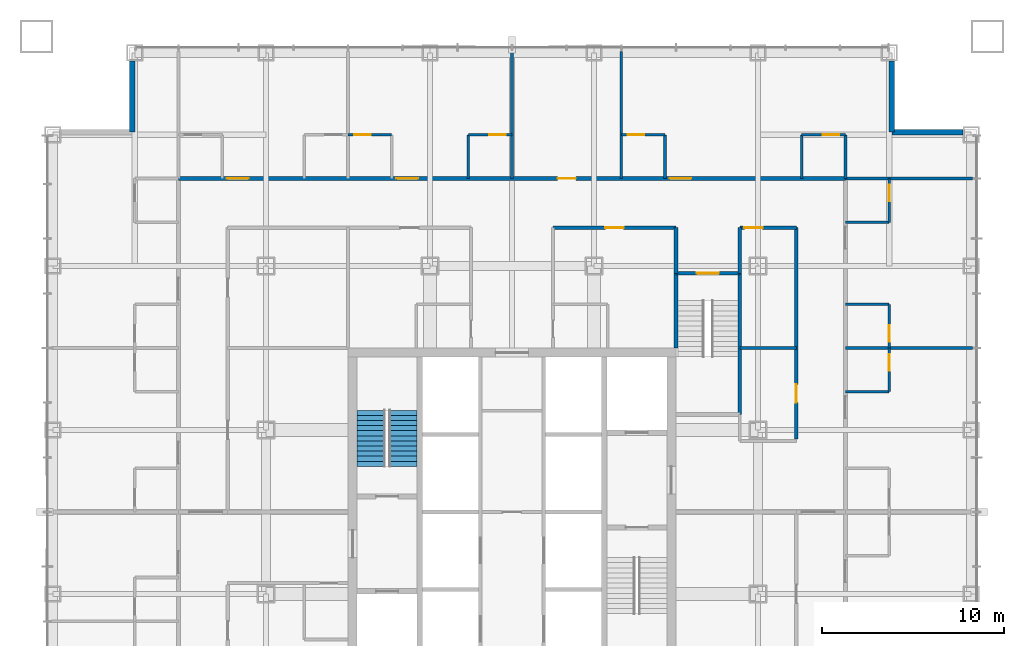
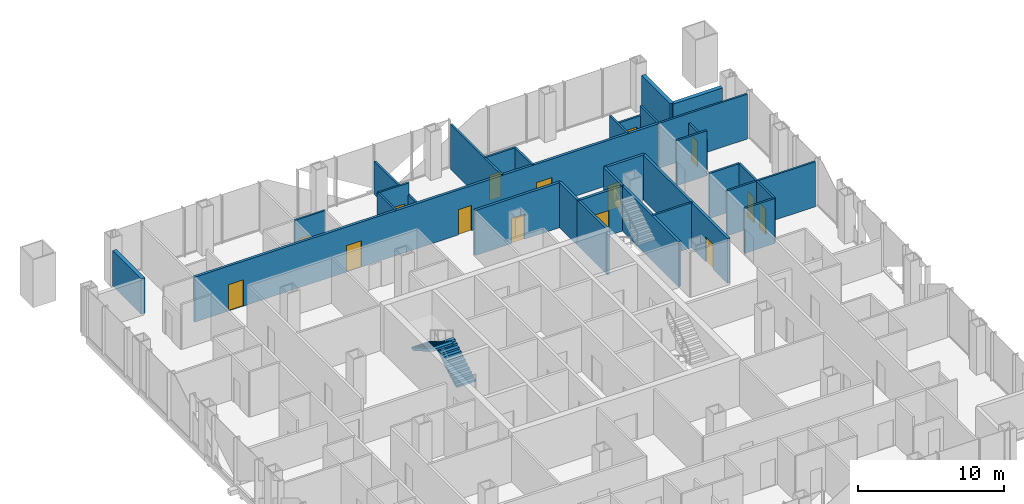
# One storey, part 11 of 13: 31 walls, 15 doors, 2 stair flights, 15 openings, 1 element without a shape of its own.
"""IFC4 building model written with IfcOpenShell, lengths in metres."""

from ifc_helpers import new_model, si_unit, direction, frame, frame_2d, origin, place, context, subcontext, project, spatial, polyline, rectangle, outline, extrude, material, layer, layer_set, type_object, element, fill, aggregate, save


model = new_model("IFC4")

# Units and contexts
model_context = context("Model", 3, precision=1e-05, world=origin(), true_north=direction((0.0, 1.0)))
body_context = subcontext(model_context, "Body", "Model", "MODEL_VIEW")
ifc_project = project(units=[si_unit("LENGTHUNIT", "METRE"), si_unit("AREAUNIT", "SQUARE_METRE"), si_unit("VOLUMEUNIT", "CUBIC_METRE"), si_unit("PLANEANGLEUNIT", "RADIAN"), si_unit("MASSUNIT", "GRAM", prefix="KILO")], contexts=[model_context])

# Site, building, storey
site_placement = place(None, origin())
site = spatial("IfcSite", under=ifc_project, at=site_placement, CompositionType="ELEMENT")
building_placement = place(site_placement, origin())
building = spatial("IfcBuilding", under=site, at=building_placement, Name="Malebo Sky Hospital", CompositionType="ELEMENT")
storey_placement = place(building_placement, frame((0.0, 0.0, 47.0)))
storey = spatial("IfcBuildingStorey", under=building, at=storey_placement, Name="L10", CompositionType="ELEMENT", Elevation=47.0)

# Wall, openings, doors
ifc_material_1 = material(Name="Gypsum board on steel studs", Category="steel")
ifc_layer_1 = layer(ifc_material_1, 0.199951171875)
ifc_layer_set_1 = layer_set([ifc_layer_1], Name="CORRIDOR WALL 200")
wall_type_1 = type_object("IfcWallType", Name="CORRIDOR WALL 200", PredefinedType="PARTITIONING", material=ifc_layer_set_1)
wall_1_placement = place(storey_placement, frame((41.699951171875, 80.300048828125, 0.0), z_axis=(0.0, 0.0, 1.0), x_axis=(1.0, 0.0, 0.0)))
wall_1 = element("IfcWall", 1, at=wall_1_placement, inside=storey, type_object=wall_type_1, Name="Corridor Wall 200 NCO", PredefinedType="PARTITIONING", context=body_context, shape_type="SweptSolid", body=[
    extrude(rectangle(XDim=36.60009765625, YDim=0.199951171875, at=frame_2d((18.300048828125, 0.0))), origin(), (0.0, 0.0, 1.0), 3.75),
])
opening_1_placement = place(wall_1_placement, frame((2.64990234375, 0.0, 0.0)))
opening_1 = element("IfcOpeningElement", 2, at=opening_1_placement, cuts=wall_1, Name="Opening D01", PredefinedType="OPENING", context=body_context, shape_type="SweptSolid", body=[
    extrude(rectangle(XDim=1.199951171875, YDim=2.199951171875, at=frame_2d((0.60009765625, 1.10009765625))), frame((0.0, 0.10986328125, 0.0), z_axis=(0.0, -1.0, 0.0), x_axis=(1.0, 0.0, 0.0)), (0.0, 0.0, 1.0), 0.219970703125),
])
opening_2_placement = place(wall_1_placement, frame((11.949951171875, 0.0, 0.0)))
opening_2 = element("IfcOpeningElement", 3, at=opening_2_placement, cuts=wall_1, Name="Opening D01", PredefinedType="OPENING", context=body_context, shape_type="SweptSolid", body=[
    extrude(rectangle(XDim=1.199951171875, YDim=2.199951171875, at=frame_2d((0.60009765625, 1.10009765625))), frame((0.0, 0.10986328125, 0.0), z_axis=(0.0, -1.0, 0.0), x_axis=(1.0, 0.0, 0.0)), (0.0, 0.0, 1.0), 0.219970703125),
])
opening_3_placement = place(wall_1_placement, frame((20.800048828125, 0.0, 0.0)))
opening_3 = element("IfcOpeningElement", 4, at=opening_3_placement, cuts=wall_1, Name="Opening D03", PredefinedType="OPENING", context=body_context, shape_type="SweptSolid", body=[
    extrude(rectangle(XDim=1.0, YDim=2.10009765625, at=frame_2d((0.5, 1.050048828125))), frame((0.0, 0.10986328125, 0.0), z_axis=(0.0, -1.0, 0.0), x_axis=(1.0, 0.0, 0.0)), (0.0, 0.0, 1.0), 0.219970703125),
])
opening_4_placement = place(wall_1_placement, frame((26.949951171875, 0.0, 0.0)))
opening_4 = element("IfcOpeningElement", 5, at=opening_4_placement, cuts=wall_1, Name="Opening D01", PredefinedType="OPENING", context=body_context, shape_type="SweptSolid", body=[
    extrude(rectangle(XDim=1.199951171875, YDim=2.199951171875, at=frame_2d((0.60009765625, 1.10009765625))), frame((0.0, 0.10986328125, 0.0), z_axis=(0.0, -1.0, 0.0), x_axis=(1.0, 0.0, 0.0)), (0.0, 0.0, 1.0), 0.219970703125),
])
ifc_material_2 = material(Name="Hardwood-faced door leaf in steel frame", Category="steel")
door_type_1 = type_object("IfcDoorType", Name="BED DOOR 1200", OperationType="SINGLE_SWING_LEFT", PredefinedType="DOOR", material=ifc_material_2)
door_1_placement = place(opening_1_placement, origin())
door_1 = element("IfcDoor", 6, at=door_1_placement, inside=storey, type_object=door_type_1, Name="Four-bed bay door", OperationType="SINGLE_SWING_LEFT", OverallHeight=2.199951171875, OverallWidth=1.199951171875, PredefinedType="DOOR", context=body_context, shape_type="SweptSolid", body=[
    extrude(rectangle(XDim=1.199951171875, YDim=2.199951171875, at=frame_2d((0.60009765625, 1.10009765625))), frame((0.0, 0.02490234375, 0.0), z_axis=(0.0, -1.0, 0.0), x_axis=(1.0, 0.0, 0.0)), (0.0, 0.0, 1.0), 0.050048828125),
])
fill(opening_1, door_1)
door_2_placement = place(opening_2_placement, origin())
door_2 = element("IfcDoor", 7, at=door_2_placement, inside=storey, type_object=door_type_1, Name="Four-bed bay door", OperationType="SINGLE_SWING_LEFT", OverallHeight=2.199951171875, OverallWidth=1.199951171875, PredefinedType="DOOR", context=body_context, shape_type="SweptSolid", body=[
    extrude(rectangle(XDim=1.199951171875, YDim=2.199951171875, at=frame_2d((0.60009765625, 1.10009765625))), frame((0.0, 0.02490234375, 0.0), z_axis=(0.0, -1.0, 0.0), x_axis=(1.0, 0.0, 0.0)), (0.0, 0.0, 1.0), 0.050048828125),
])
fill(opening_2, door_2)
door_3_placement = place(opening_4_placement, origin())
door_3 = element("IfcDoor", 8, at=door_3_placement, inside=storey, type_object=door_type_1, Name="Four-bed bay door", OperationType="SINGLE_SWING_LEFT", OverallHeight=2.199951171875, OverallWidth=1.199951171875, PredefinedType="DOOR", context=body_context, shape_type="SweptSolid", body=[
    extrude(rectangle(XDim=1.199951171875, YDim=2.199951171875, at=frame_2d((0.60009765625, 1.10009765625))), frame((0.0, 0.02490234375, 0.0), z_axis=(0.0, -1.0, 0.0), x_axis=(1.0, 0.0, 0.0)), (0.0, 0.0, 1.0), 0.050048828125),
])
fill(opening_4, door_3)
door_type_2 = type_object("IfcDoorType", Name="ROOM DOOR 1000", OperationType="SINGLE_SWING_LEFT", PredefinedType="DOOR", material=ifc_material_2)
door_4_placement = place(opening_3_placement, origin())
door_4 = element("IfcDoor", 9, at=door_4_placement, inside=storey, type_object=door_type_2, Name="Patient day room door", OperationType="SINGLE_SWING_LEFT", OverallHeight=2.10009765625, OverallWidth=1.0, PredefinedType="DOOR", context=body_context, shape_type="SweptSolid", body=[
    extrude(rectangle(XDim=1.0, YDim=2.10009765625, at=frame_2d((0.5, 1.050048828125))), frame((0.0, 0.02490234375, 0.0), z_axis=(0.0, -1.0, 0.0), x_axis=(1.0, 0.0, 0.0)), (0.0, 0.0, 1.0), 0.050048828125),
])
fill(opening_3, door_4)

# Wall, opening, door
wall_2_placement = place(storey_placement, frame((62.25, 77.60009765625, 0.0), z_axis=(0.0, 0.0, 1.0), x_axis=(1.0, 0.0, 0.0)))
wall_2 = element("IfcWall", 10, at=wall_2_placement, inside=storey, type_object=wall_type_1, Name="Corridor Wall 200 NCI2", PredefinedType="PARTITIONING", context=body_context, shape_type="SweptSolid", body=[
    extrude(rectangle(XDim=6.75, YDim=0.199951171875, at=frame_2d((3.375, 0.0))), origin(), (0.0, 0.0, 1.0), 3.75),
])
opening_5_placement = place(wall_2_placement, frame((2.875, 0.0, 0.0)))
opening_5 = element("IfcOpeningElement", 11, at=opening_5_placement, cuts=wall_2, Name="Opening D03", PredefinedType="OPENING", context=body_context, shape_type="SweptSolid", body=[
    extrude(rectangle(XDim=1.0, YDim=2.10009765625, at=frame_2d((0.5, 1.050048828125))), frame((0.0, 0.10986328125, 0.0), z_axis=(0.0, -1.0, 0.0), x_axis=(1.0, 0.0, 0.0)), (0.0, 0.0, 1.0), 0.219970703125),
])
door_5_placement = place(opening_5_placement, origin())
door_5 = element("IfcDoor", 12, at=door_5_placement, inside=storey, type_object=door_type_2, Name="Equipment store door", OperationType="SINGLE_SWING_RIGHT", OverallHeight=2.10009765625, OverallWidth=1.0, PredefinedType="DOOR", context=body_context, shape_type="SweptSolid", body=[
    extrude(rectangle(XDim=1.0, YDim=2.10009765625, at=frame_2d((0.5, 1.050048828125))), frame((0.0, 0.02490234375, 0.0), z_axis=(0.0, -1.0, 0.0), x_axis=(1.0, 0.0, 0.0)), (0.0, 0.0, 1.0), 0.050048828125),
])
fill(opening_5, door_5)

wall_3_placement = place(storey_placement, frame((72.5, 77.60009765625, 0.0), z_axis=(0.0, 0.0, 1.0), x_axis=(1.0, 0.0, 0.0)))
wall_3 = element("IfcWall", 13, at=wall_3_placement, inside=storey, type_object=wall_type_1, Name="Corridor Wall 200 NCI2/2", PredefinedType="PARTITIONING", context=body_context, shape_type="SweptSolid", body=[
    extrude(rectangle(XDim=3.10009765625, YDim=0.199951171875, at=frame_2d((1.550048828125, 0.0))), origin(), (0.0, 0.0, 1.0), 3.75),
])
opening_6_placement = place(wall_3_placement, frame((0.25, 0.0, 0.0)))
opening_6 = element("IfcOpeningElement", 14, at=opening_6_placement, cuts=wall_3, Name="Opening D03", PredefinedType="OPENING", context=body_context, shape_type="SweptSolid", body=[
    extrude(rectangle(XDim=1.0, YDim=2.10009765625, at=frame_2d((0.5, 1.050048828125))), frame((0.0, 0.10986328125, 0.0), z_axis=(0.0, -1.0, 0.0), x_axis=(1.0, 0.0, 0.0)), (0.0, 0.0, 1.0), 0.219970703125),
])
door_6_placement = place(opening_6_placement, origin())
door_6 = element("IfcDoor", 15, at=door_6_placement, inside=storey, type_object=door_type_2, Name="Interview room door", OperationType="SINGLE_SWING_LEFT", OverallHeight=2.10009765625, OverallWidth=1.0, PredefinedType="DOOR", context=body_context, shape_type="SweptSolid", body=[
    extrude(rectangle(XDim=1.0, YDim=2.10009765625, at=frame_2d((0.5, 1.050048828125))), frame((0.0, 0.02490234375, 0.0), z_axis=(0.0, -1.0, 0.0), x_axis=(1.0, 0.0, 0.0)), (0.0, 0.0, 1.0), 0.050048828125),
])
fill(opening_6, door_6)

wall_4_placement = place(storey_placement, frame((75.60009765625, 77.60009765625, 0.0), z_axis=(0.0, 0.0, 1.0), x_axis=(0.0, -1.0, 0.0)))
wall_4 = element("IfcWall", 16, at=wall_4_placement, inside=storey, type_object=wall_type_1, Name="Corridor Wall 200 ECI1", PredefinedType="PARTITIONING", context=body_context, shape_type="SweptSolid", body=[
    extrude(rectangle(XDim=11.60009765625, YDim=0.199951171875, at=frame_2d((5.800048828125, 0.0))), origin(), (0.0, 0.0, 1.0), 3.75),
])
opening_7_placement = place(wall_4_placement, frame((8.60009765625, 0.0, 0.0)))
opening_7 = element("IfcOpeningElement", 17, at=opening_7_placement, cuts=wall_4, Name="Opening D03", PredefinedType="OPENING", context=body_context, shape_type="SweptSolid", body=[
    extrude(rectangle(XDim=1.0, YDim=2.10009765625, at=frame_2d((0.5, 1.050048828125))), frame((0.0, 0.10986328125, 0.0), z_axis=(0.0, -1.0, 0.0), x_axis=(1.0, 0.0, 0.0)), (0.0, 0.0, 1.0), 0.219970703125),
])
door_7_placement = place(opening_7_placement, origin())
door_7 = element("IfcDoor", 18, at=door_7_placement, inside=storey, type_object=door_type_2, Name="Medication room door", OperationType="SINGLE_SWING_LEFT", OverallHeight=2.10009765625, OverallWidth=1.0, PredefinedType="DOOR", context=body_context, shape_type="SweptSolid", body=[
    extrude(rectangle(XDim=1.0, YDim=2.10009765625, at=frame_2d((0.5, 1.050048828125))), frame((0.0, 0.02490234375, 0.0), z_axis=(0.0, -1.0, 0.0), x_axis=(1.0, 0.0, 0.0)), (0.0, 0.0, 1.0), 0.050048828125),
])
fill(opening_7, door_7)

# Walls
for number, where, z_axis, x_axis, name in (
    (19, (69.0, 75.10009765625, 0.0), (0.0, 0.0, 1.0), (0.0, 1.0, 0.0), "Corridor Wall 200 ST3AW"),
    (20, (72.5, 75.10009765625, 0.0), (0.0, 0.0, 1.0), (0.0, 1.0, 0.0), "Corridor Wall 200 ST3AE"),
):
    element("IfcWall", number, at=place(storey_placement, frame(where, z_axis=z_axis, x_axis=x_axis)), inside=storey, type_object=wall_type_1, Name=name, PredefinedType="PARTITIONING", context=body_context, shape_type="SweptSolid", body=[
        extrude(rectangle(XDim=2.5, YDim=0.199951171875, at=frame_2d((1.25, 0.0))), origin(), (0.0, 0.0, 1.0), 3.75),
    ])
ifc_material_3 = material(Name="Anodised aluminium rainscreen on steel framing", Category="steel")
ifc_layer_2 = layer(ifc_material_3, 0.300048828125)
ifc_layer_set_2 = layer_set([ifc_layer_2], Name="NOTCH RAINSCREEN WALL 300")
wall_type_2 = type_object("IfcWallType", Name="NOTCH RAINSCREEN WALL 300", PredefinedType="ELEMENTEDWALL", material=ifc_layer_set_2)
for number, where, z_axis, x_axis, name in (
    (21, (80.85009765625, 86.75, 0.0), (0.0, 0.0, 1.0), (0.0, -1.0, 0.0), "Notch rainscreen wall N1 L10"),
    (22, (80.85009765625, 82.85009765625, 0.0), (0.0, 0.0, 1.0), (1.0, 0.0, 0.0), "Notch rainscreen wall N2 L10"),
    (23, (39.14990234375, 82.85009765625, 0.0), (0.0, 0.0, 1.0), (0.0, 1.0, 0.0), "Notch rainscreen wall W2 L10"),
):
    element("IfcWall", number, at=place(storey_placement, frame(where, z_axis=z_axis, x_axis=x_axis)), inside=storey, type_object=wall_type_2, Name=name, PredefinedType="ELEMENTEDWALL", context=body_context, shape_type="SweptSolid", body=[
        extrude(rectangle(XDim=3.89990234375, YDim=0.300048828125, at=frame_2d((1.949951171875, 0.0))), origin(), (0.0, 0.0, 1.0), 2.949951171875),
    ])
ifc_layer_3 = layer(ifc_material_1, 0.14990234375)
ifc_layer_set_3 = layer_set([ifc_layer_3], Name="PARTITION 150")
wall_type_3 = type_object("IfcWallType", Name="PARTITION 150", PredefinedType="PARTITIONING", material=ifc_layer_set_3)
wall_5_placement = place(storey_placement, frame((60.0, 80.300048828125, 0.0), z_axis=(0.0, 0.0, 1.0), x_axis=(0.0, 1.0, 0.0)))
element("IfcWall", 24, at=wall_5_placement, inside=storey, type_object=wall_type_3, Name="Partition 150 NP+0.0", PredefinedType="PARTITIONING", context=body_context, shape_type="SweptSolid", body=[
    extrude(rectangle(XDim=6.974853515625, YDim=0.14990234375, at=frame_2d((3.4873046875, 0.0))), origin(), (0.0, 0.0, 1.0), 2.75),
])
wall_6_placement = place(storey_placement, frame((66.0, 80.300048828125, 0.0), z_axis=(0.0, 0.0, 1.0), x_axis=(0.0, 1.0, 0.0)))
element("IfcWall", 25, at=wall_6_placement, inside=storey, type_object=wall_type_3, Name="Partition 150 NP+6.0", PredefinedType="PARTITIONING", context=body_context, shape_type="SweptSolid", body=[
    extrude(rectangle(XDim=6.974853515625, YDim=0.14990234375, at=frame_2d((3.4873046875, 0.0))), origin(), (0.0, 0.0, 1.0), 3.75),
])

# Wall, opening, door
wall_7_placement = place(storey_placement, frame((51.0, 82.699951171875, 0.0), z_axis=(0.0, 0.0, 1.0), x_axis=(1.0, 0.0, 0.0)))
wall_7 = element("IfcWall", 26, at=wall_7_placement, inside=storey, type_object=wall_type_3, Name="Partition 150 NE1F", PredefinedType="PARTITIONING", context=body_context, shape_type="SweptSolid", body=[
    extrude(rectangle(XDim=2.39990234375, YDim=0.14990234375, at=frame_2d((1.199951171875, 0.0))), origin(), (0.0, 0.0, 1.0), 3.75),
])
opening_8_placement = place(wall_7_placement, frame((0.35009765625, 0.0, 0.0)))
opening_8 = element("IfcOpeningElement", 27, at=opening_8_placement, cuts=wall_7, Name="Opening D02", PredefinedType="OPENING", context=body_context, shape_type="SweptSolid", body=[
    extrude(rectangle(XDim=0.89990234375, YDim=2.10009765625, at=frame_2d((0.449951171875, 1.050048828125))), frame((0.0, 0.0849609375, 0.0), z_axis=(0.0, -1.0, 0.0), x_axis=(1.0, 0.0, 0.0)), (0.0, 0.0, 1.0), 0.169921875),
])
door_type_3 = type_object("IfcDoorType", Name="EN-SUITE DOOR 900", OperationType="SINGLE_SWING_LEFT", PredefinedType="DOOR", material=ifc_material_2)
door_8_placement = place(opening_8_placement, origin())
door_8 = element("IfcDoor", 28, at=door_8_placement, inside=storey, type_object=door_type_3, Name="En-suite door", OperationType="SINGLE_SWING_LEFT", OverallHeight=2.10009765625, OverallWidth=0.89990234375, PredefinedType="DOOR", context=body_context, shape_type="SweptSolid", body=[
    extrude(rectangle(XDim=0.89990234375, YDim=2.10009765625, at=frame_2d((0.449951171875, 1.050048828125))), frame((0.0, 0.02490234375, 0.0), z_axis=(0.0, -1.0, 0.0), x_axis=(1.0, 0.0, 0.0)), (0.0, 0.0, 1.0), 0.050048828125),
])
fill(opening_8, door_8)

wall_8_placement = place(storey_placement, frame((57.60009765625, 82.699951171875, 0.0), z_axis=(0.0, 0.0, 1.0), x_axis=(1.0, 0.0, 0.0)))
wall_8 = element("IfcWall", 29, at=wall_8_placement, inside=storey, type_object=wall_type_3, Name="Partition 150 NG1F", PredefinedType="PARTITIONING", context=body_context, shape_type="SweptSolid", body=[
    extrude(rectangle(XDim=2.39990234375, YDim=0.14990234375, at=frame_2d((1.199951171875, 0.0))), origin(), (0.0, 0.0, 1.0), 3.75),
])
opening_9_placement = place(wall_8_placement, frame((1.14990234375, 0.0, 0.0)))
opening_9 = element("IfcOpeningElement", 30, at=opening_9_placement, cuts=wall_8, Name="Opening D02", PredefinedType="OPENING", context=body_context, shape_type="SweptSolid", body=[
    extrude(rectangle(XDim=0.89990234375, YDim=2.10009765625, at=frame_2d((0.449951171875, 1.050048828125))), frame((0.0, 0.0849609375, 0.0), z_axis=(0.0, -1.0, 0.0), x_axis=(1.0, 0.0, 0.0)), (0.0, 0.0, 1.0), 0.169921875),
])
door_9_placement = place(opening_9_placement, origin())
door_9 = element("IfcDoor", 31, at=door_9_placement, inside=storey, type_object=door_type_3, Name="En-suite door", OperationType="SINGLE_SWING_RIGHT", OverallHeight=2.10009765625, OverallWidth=0.89990234375, PredefinedType="DOOR", context=body_context, shape_type="SweptSolid", body=[
    extrude(rectangle(XDim=0.89990234375, YDim=2.10009765625, at=frame_2d((0.449951171875, 1.050048828125))), frame((0.0, 0.02490234375, 0.0), z_axis=(0.0, -1.0, 0.0), x_axis=(1.0, 0.0, 0.0)), (0.0, 0.0, 1.0), 0.050048828125),
])
fill(opening_9, door_9)

# Wall
wall_9_placement = place(storey_placement, frame((57.60009765625, 80.300048828125, 0.0), z_axis=(0.0, 0.0, 1.0), x_axis=(0.0, 1.0, 0.0)))
element("IfcWall", 32, at=wall_9_placement, inside=storey, type_object=wall_type_3, Name="Partition 150 NG1S", PredefinedType="PARTITIONING", context=body_context, shape_type="SweptSolid", body=[
    extrude(rectangle(XDim=2.39990234375, YDim=0.14990234375, at=frame_2d((1.199951171875, 0.0))), origin(), (0.0, 0.0, 1.0), 3.75),
])

# Wall, opening, door
wall_10_placement = place(storey_placement, frame((66.0, 82.699951171875, 0.0), z_axis=(0.0, 0.0, 1.0), x_axis=(1.0, 0.0, 0.0)))
wall_10 = element("IfcWall", 33, at=wall_10_placement, inside=storey, type_object=wall_type_3, Name="Partition 150 NE3F", PredefinedType="PARTITIONING", context=body_context, shape_type="SweptSolid", body=[
    extrude(rectangle(XDim=2.39990234375, YDim=0.14990234375, at=frame_2d((1.199951171875, 0.0))), origin(), (0.0, 0.0, 1.0), 3.75),
])
opening_10_placement = place(wall_10_placement, frame((0.35009765625, 0.0, 0.0)))
opening_10 = element("IfcOpeningElement", 34, at=opening_10_placement, cuts=wall_10, Name="Opening D02", PredefinedType="OPENING", context=body_context, shape_type="SweptSolid", body=[
    extrude(rectangle(XDim=0.89990234375, YDim=2.10009765625, at=frame_2d((0.449951171875, 1.050048828125))), frame((0.0, 0.0849609375, 0.0), z_axis=(0.0, -1.0, 0.0), x_axis=(1.0, 0.0, 0.0)), (0.0, 0.0, 1.0), 0.169921875),
])
door_10_placement = place(opening_10_placement, origin())
door_10 = element("IfcDoor", 35, at=door_10_placement, inside=storey, type_object=door_type_3, Name="En-suite door", OperationType="SINGLE_SWING_LEFT", OverallHeight=2.10009765625, OverallWidth=0.89990234375, PredefinedType="DOOR", context=body_context, shape_type="SweptSolid", body=[
    extrude(rectangle(XDim=0.89990234375, YDim=2.10009765625, at=frame_2d((0.449951171875, 1.050048828125))), frame((0.0, 0.02490234375, 0.0), z_axis=(0.0, -1.0, 0.0), x_axis=(1.0, 0.0, 0.0)), (0.0, 0.0, 1.0), 0.050048828125),
])
fill(opening_10, door_10)

# Wall
wall_11_placement = place(storey_placement, frame((68.39990234375, 80.300048828125, 0.0), z_axis=(0.0, 0.0, 1.0), x_axis=(0.0, 1.0, 0.0)))
element("IfcWall", 36, at=wall_11_placement, inside=storey, type_object=wall_type_3, Name="Partition 150 NE3S", PredefinedType="PARTITIONING", context=body_context, shape_type="SweptSolid", body=[
    extrude(rectangle(XDim=2.39990234375, YDim=0.14990234375, at=frame_2d((1.199951171875, 0.0))), origin(), (0.0, 0.0, 1.0), 3.75),
])

# Wall, opening, door
wall_12_placement = place(storey_placement, frame((75.89990234375, 82.699951171875, 0.0), z_axis=(0.0, 0.0, 1.0), x_axis=(1.0, 0.0, 0.0)))
wall_12 = element("IfcWall", 37, at=wall_12_placement, inside=storey, type_object=wall_type_3, Name="Partition 150 NG3F", PredefinedType="PARTITIONING", context=body_context, shape_type="SweptSolid", body=[
    extrude(rectangle(XDim=2.400146484375, YDim=0.14990234375, at=frame_2d((1.2001953125, 0.0))), origin(), (0.0, 0.0, 1.0), 2.949951171875),
])
opening_11_placement = place(wall_12_placement, frame((1.14990234375, 0.0, 0.0)))
opening_11 = element("IfcOpeningElement", 38, at=opening_11_placement, cuts=wall_12, Name="Opening D02", PredefinedType="OPENING", context=body_context, shape_type="SweptSolid", body=[
    extrude(rectangle(XDim=0.89990234375, YDim=2.10009765625, at=frame_2d((0.449951171875, 1.050048828125))), frame((0.0, 0.0849609375, 0.0), z_axis=(0.0, -1.0, 0.0), x_axis=(1.0, 0.0, 0.0)), (0.0, 0.0, 1.0), 0.169921875),
])
door_11_placement = place(opening_11_placement, origin())
door_11 = element("IfcDoor", 39, at=door_11_placement, inside=storey, type_object=door_type_3, Name="En-suite door", OperationType="SINGLE_SWING_RIGHT", OverallHeight=2.10009765625, OverallWidth=0.89990234375, PredefinedType="DOOR", context=body_context, shape_type="SweptSolid", body=[
    extrude(rectangle(XDim=0.89990234375, YDim=2.10009765625, at=frame_2d((0.449951171875, 1.050048828125))), frame((0.0, 0.02490234375, 0.0), z_axis=(0.0, -1.0, 0.0), x_axis=(1.0, 0.0, 0.0)), (0.0, 0.0, 1.0), 0.050048828125),
])
fill(opening_11, door_11)

# Walls
for number, where, z_axis, x_axis, name in (
    (40, (75.89990234375, 80.300048828125, 0.0), (0.0, 0.0, 1.0), (0.0, 1.0, 0.0), "Partition 150 NG3S"),
    (41, (78.300048828125, 80.300048828125, 0.0), (0.0, 0.0, 1.0), (0.0, 1.0, 0.0), "Partition 150 NEZ"),
):
    element("IfcWall", number, at=place(storey_placement, frame(where, z_axis=z_axis, x_axis=x_axis)), inside=storey, type_object=wall_type_3, Name=name, PredefinedType="PARTITIONING", context=body_context, shape_type="SweptSolid", body=[
        extrude(rectangle(XDim=2.39990234375, YDim=0.14990234375, at=frame_2d((1.199951171875, 0.0))), origin(), (0.0, 0.0, 1.0), 3.75),
    ])
for number, where, z_axis, x_axis, name in (
    (42, (78.300048828125, 71.0, 0.0), (0.0, 0.0, 1.0), (1.0, 0.0, 0.0), "Partition 150 EP-9.0"),
    (43, (78.300048828125, 80.300048828125, 0.0), (0.0, 0.0, 1.0), (1.0, 0.0, 0.0), "Partition 150 EP0"),
):
    element("IfcWall", number, at=place(storey_placement, frame(where, z_axis=z_axis, x_axis=x_axis)), inside=storey, type_object=wall_type_3, Name=name, PredefinedType="PARTITIONING", context=body_context, shape_type="SweptSolid", body=[
        extrude(rectangle(XDim=6.974853515625, YDim=0.14990234375, at=frame_2d((3.4873046875, 0.0))), origin(), (0.0, 0.0, 1.0), 3.75),
    ])

# Wall, opening, door
wall_13_placement = place(storey_placement, frame((80.699951171875, 80.300048828125, 0.0), z_axis=(0.0, 0.0, 1.0), x_axis=(0.0, -1.0, 0.0)))
wall_13 = element("IfcWall", 44, at=wall_13_placement, inside=storey, type_object=wall_type_3, Name="Partition 150 EE0F", PredefinedType="PARTITIONING", context=body_context, shape_type="SweptSolid", body=[
    extrude(rectangle(XDim=2.400146484375, YDim=0.14990234375, at=frame_2d((1.2001953125, 0.0))), origin(), (0.0, 0.0, 1.0), 2.949951171875),
])
opening_12_placement = place(wall_13_placement, frame((0.35009765625, 0.0, 0.0)))
opening_12 = element("IfcOpeningElement", 45, at=opening_12_placement, cuts=wall_13, Name="Opening D02", PredefinedType="OPENING", context=body_context, shape_type="SweptSolid", body=[
    extrude(rectangle(XDim=0.89990234375, YDim=2.10009765625, at=frame_2d((0.449951171875, 1.050048828125))), frame((0.0, 0.0849609375, 0.0), z_axis=(0.0, -1.0, 0.0), x_axis=(1.0, 0.0, 0.0)), (0.0, 0.0, 1.0), 0.169921875),
])
door_12_placement = place(opening_12_placement, origin())
door_12 = element("IfcDoor", 46, at=door_12_placement, inside=storey, type_object=door_type_3, Name="En-suite door", OperationType="SINGLE_SWING_LEFT", OverallHeight=2.10009765625, OverallWidth=0.89990234375, PredefinedType="DOOR", context=body_context, shape_type="SweptSolid", body=[
    extrude(rectangle(XDim=0.89990234375, YDim=2.10009765625, at=frame_2d((0.449951171875, 1.050048828125))), frame((0.0, 0.02490234375, 0.0), z_axis=(0.0, -1.0, 0.0), x_axis=(1.0, 0.0, 0.0)), (0.0, 0.0, 1.0), 0.050048828125),
])
fill(opening_12, door_12)

# Wall
wall_14_placement = place(storey_placement, frame((78.300048828125, 77.89990234375, 0.0), z_axis=(0.0, 0.0, 1.0), x_axis=(1.0, 0.0, 0.0)))
element("IfcWall", 47, at=wall_14_placement, inside=storey, type_object=wall_type_3, Name="Partition 150 EE0S", PredefinedType="PARTITIONING", context=body_context, shape_type="SweptSolid", body=[
    extrude(rectangle(XDim=2.39990234375, YDim=0.14990234375, at=frame_2d((1.199951171875, 0.0))), origin(), (0.0, 0.0, 1.0), 3.75),
])

# Wall, opening, door
wall_15_placement = place(storey_placement, frame((80.699951171875, 73.39990234375, 0.0), z_axis=(0.0, 0.0, 1.0), x_axis=(0.0, -1.0, 0.0)))
wall_15 = element("IfcWall", 48, at=wall_15_placement, inside=storey, type_object=wall_type_3, Name="Partition 150 EG0F", PredefinedType="PARTITIONING", context=body_context, shape_type="SweptSolid", body=[
    extrude(rectangle(XDim=2.39990234375, YDim=0.14990234375, at=frame_2d((1.199951171875, 0.0))), origin(), (0.0, 0.0, 1.0), 3.75),
])
opening_13_placement = place(wall_15_placement, frame((1.14990234375, 0.0, 0.0)))
opening_13 = element("IfcOpeningElement", 49, at=opening_13_placement, cuts=wall_15, Name="Opening D02", PredefinedType="OPENING", context=body_context, shape_type="SweptSolid", body=[
    extrude(rectangle(XDim=0.89990234375, YDim=2.10009765625, at=frame_2d((0.449951171875, 1.050048828125))), frame((0.0, 0.0849609375, 0.0), z_axis=(0.0, -1.0, 0.0), x_axis=(1.0, 0.0, 0.0)), (0.0, 0.0, 1.0), 0.169921875),
])
door_13_placement = place(opening_13_placement, origin())
door_13 = element("IfcDoor", 50, at=door_13_placement, inside=storey, type_object=door_type_3, Name="En-suite door", OperationType="SINGLE_SWING_RIGHT", OverallHeight=2.10009765625, OverallWidth=0.89990234375, PredefinedType="DOOR", context=body_context, shape_type="SweptSolid", body=[
    extrude(rectangle(XDim=0.89990234375, YDim=2.10009765625, at=frame_2d((0.449951171875, 1.050048828125))), frame((0.0, 0.02490234375, 0.0), z_axis=(0.0, -1.0, 0.0), x_axis=(1.0, 0.0, 0.0)), (0.0, 0.0, 1.0), 0.050048828125),
])
fill(opening_13, door_13)

# Wall
wall_16_placement = place(storey_placement, frame((78.300048828125, 73.39990234375, 0.0), z_axis=(0.0, 0.0, 1.0), x_axis=(1.0, 0.0, 0.0)))
element("IfcWall", 51, at=wall_16_placement, inside=storey, type_object=wall_type_3, Name="Partition 150 EG0S", PredefinedType="PARTITIONING", context=body_context, shape_type="SweptSolid", body=[
    extrude(rectangle(XDim=2.39990234375, YDim=0.14990234375, at=frame_2d((1.199951171875, 0.0))), origin(), (0.0, 0.0, 1.0), 3.75),
])

# Wall, opening, door
wall_17_placement = place(storey_placement, frame((80.699951171875, 71.0, 0.0), z_axis=(0.0, 0.0, 1.0), x_axis=(0.0, -1.0, 0.0)))
wall_17 = element("IfcWall", 52, at=wall_17_placement, inside=storey, type_object=wall_type_3, Name="Partition 150 EE1F", PredefinedType="PARTITIONING", context=body_context, shape_type="SweptSolid", body=[
    extrude(rectangle(XDim=2.39990234375, YDim=0.14990234375, at=frame_2d((1.199951171875, 0.0))), origin(), (0.0, 0.0, 1.0), 3.75),
])
opening_14_placement = place(wall_17_placement, frame((0.35009765625, 0.0, 0.0)))
opening_14 = element("IfcOpeningElement", 53, at=opening_14_placement, cuts=wall_17, Name="Opening D02", PredefinedType="OPENING", context=body_context, shape_type="SweptSolid", body=[
    extrude(rectangle(XDim=0.89990234375, YDim=2.10009765625, at=frame_2d((0.449951171875, 1.050048828125))), frame((0.0, 0.0849609375, 0.0), z_axis=(0.0, -1.0, 0.0), x_axis=(1.0, 0.0, 0.0)), (0.0, 0.0, 1.0), 0.169921875),
])
door_14_placement = place(opening_14_placement, origin())
door_14 = element("IfcDoor", 54, at=door_14_placement, inside=storey, type_object=door_type_3, Name="En-suite door", OperationType="SINGLE_SWING_LEFT", OverallHeight=2.10009765625, OverallWidth=0.89990234375, PredefinedType="DOOR", context=body_context, shape_type="SweptSolid", body=[
    extrude(rectangle(XDim=0.89990234375, YDim=2.10009765625, at=frame_2d((0.449951171875, 1.050048828125))), frame((0.0, 0.02490234375, 0.0), z_axis=(0.0, -1.0, 0.0), x_axis=(1.0, 0.0, 0.0)), (0.0, 0.0, 1.0), 0.050048828125),
])
fill(opening_14, door_14)

# Walls
wall_18_placement = place(storey_placement, frame((78.300048828125, 68.60009765625, 0.0), z_axis=(0.0, 0.0, 1.0), x_axis=(1.0, 0.0, 0.0)))
element("IfcWall", 55, at=wall_18_placement, inside=storey, type_object=wall_type_3, Name="Partition 150 EE1S", PredefinedType="PARTITIONING", context=body_context, shape_type="SweptSolid", body=[
    extrude(rectangle(XDim=2.39990234375, YDim=0.14990234375, at=frame_2d((1.199951171875, 0.0))), origin(), (0.0, 0.0, 1.0), 3.75),
])
wall_19_placement = place(storey_placement, frame((72.5, 71.0, 0.0), z_axis=(0.0, 0.0, 1.0), x_axis=(1.0, 0.0, 0.0)))
element("IfcWall", 56, at=wall_19_placement, inside=storey, type_object=wall_type_3, Name="Partition 150 ESP0", PredefinedType="PARTITIONING", context=body_context, shape_type="SweptSolid", body=[
    extrude(rectangle(XDim=3.10009765625, YDim=0.14990234375, at=frame_2d((1.550048828125, 0.0))), origin(), (0.0, 0.0, 1.0), 3.75),
])
ifc_material_4 = material(Name="Concrete C40/50", Category="concrete")
ifc_layer_4 = layer(ifc_material_4, 0.199951171875)
ifc_layer_set_4 = layer_set([ifc_layer_4], Name="STAIR ENCLOSURE WALL 200")
wall_type_4 = type_object("IfcWallType", Name="STAIR ENCLOSURE WALL 200", PredefinedType="SOLIDWALL", material=ifc_layer_set_4)
wall_20_placement = place(storey_placement, frame((69.0, 71.0, 0.0), z_axis=(0.0, 0.0, 1.0), x_axis=(0.0, 1.0, 0.0)))
element("IfcWall", 57, at=wall_20_placement, inside=storey, type_object=wall_type_4, Name="Stair Enclosure Wall 200 ST3W", PredefinedType="SOLIDWALL", context=body_context, shape_type="SweptSolid", body=[
    extrude(rectangle(XDim=4.10009765625, YDim=0.199951171875, at=frame_2d((2.050048828125, 0.0))), origin(), (0.0, 0.0, 1.0), 3.75),
])
wall_21_placement = place(storey_placement, frame((72.5, 67.35009765625, 0.0), z_axis=(0.0, 0.0, 1.0), x_axis=(0.0, 1.0, 0.0)))
element("IfcWall", 58, at=wall_21_placement, inside=storey, type_object=wall_type_4, Name="Stair Enclosure Wall 200 ST3E", PredefinedType="SOLIDWALL", context=body_context, shape_type="SweptSolid", body=[
    extrude(rectangle(XDim=7.75, YDim=0.199951171875, at=frame_2d((3.875, 0.0))), origin(), (0.0, 0.0, 1.0), 3.75),
])

# Wall, opening, door
wall_22_placement = place(storey_placement, frame((69.0, 75.10009765625, 0.0), z_axis=(0.0, 0.0, 1.0), x_axis=(1.0, 0.0, 0.0)))
wall_22 = element("IfcWall", 59, at=wall_22_placement, inside=storey, type_object=wall_type_4, Name="Stair Enclosure Wall 200 ST3N", PredefinedType="SOLIDWALL", context=body_context, shape_type="SweptSolid", body=[
    extrude(rectangle(XDim=3.5, YDim=0.199951171875, at=frame_2d((1.75, 0.0))), origin(), (0.0, 0.0, 1.0), 3.75),
])
opening_15_placement = place(wall_22_placement, frame((1.14990234375, 0.0, 0.0)))
opening_15 = element("IfcOpeningElement", 60, at=opening_15_placement, cuts=wall_22, Name="Opening D08", PredefinedType="OPENING", context=body_context, shape_type="SweptSolid", body=[
    extrude(rectangle(XDim=1.199951171875, YDim=2.10009765625, at=frame_2d((0.60009765625, 1.050048828125))), frame((0.0, 0.10986328125, 0.0), z_axis=(0.0, -1.0, 0.0), x_axis=(1.0, 0.0, 0.0)), (0.0, 0.0, 1.0), 0.219970703125),
])
door_type_4 = type_object("IfcDoorType", Name="STAIR DOOR 1200", OperationType="SINGLE_SWING_LEFT", PredefinedType="DOOR", material=ifc_material_2)
door_15_placement = place(opening_15_placement, origin())
door_15 = element("IfcDoor", 61, at=door_15_placement, inside=storey, type_object=door_type_4, Name="Stair S3 door", OperationType="SINGLE_SWING_LEFT", OverallHeight=2.10009765625, OverallWidth=1.199951171875, PredefinedType="DOOR", context=body_context, shape_type="SweptSolid", body=[
    extrude(rectangle(XDim=1.199951171875, YDim=2.10009765625, at=frame_2d((0.60009765625, 1.050048828125))), frame((0.0, 0.02490234375, 0.0), z_axis=(0.0, -1.0, 0.0), x_axis=(1.0, 0.0, 0.0)), (0.0, 0.0, 1.0), 0.050048828125),
])
fill(opening_15, door_15)

# Stair, stair flights
stair_type = type_object("IfcStairType", Name="HALF-TURN STAIR 1500 R167", PredefinedType="HALF_TURN_STAIR", material=ifc_material_4)
stair_placement = place(storey_placement, origin())
stair = element("IfcStair", 62, at=stair_placement, inside=storey, type_object=stair_type, Name="Stair S1 L10 type ST1", PredefinedType="HALF_TURN_STAIR")
stair_flight_type = type_object("IfcStairFlightType", Name="STAIR FLIGHT 1500 R167", PredefinedType="STRAIGHT", material=ifc_material_4)
stair_flight_1_placement = place(storey_placement, frame((54.050048828125, 64.5, 0.0), z_axis=(0.0, 0.0, 1.0), x_axis=(0.0, 1.0, 0.0)))
stair_flight_1 = element("IfcStairFlight", 63, at=stair_flight_1_placement, type_object=stair_flight_type, Name="S1 flight 1 type SF1", NumberOfRisers=12, NumberOfTreads=11, PredefinedType="STRAIGHT", RiserHeight=0.166666667, TreadLength=0.28, context=body_context, shape_type="SweptSolid", body=[
    extrude(outline(polyline([(0.0, 0.0), (0.0, 0.166748046875), (0.280029296875, 0.166748046875), (0.280029296875, 0.333251953125), (0.56005859375, 0.333251953125), (0.56005859375, 0.5), (0.840087890625, 0.5), (0.840087890625, 0.666748046875), (1.1201171875, 0.666748046875), (1.1201171875, 0.833251953125), (1.39990234375, 0.833251953125), (1.39990234375, 1.0), (1.679931640625, 1.0), (1.679931640625, 1.166748046875), (1.9599609375, 1.166748046875), (1.9599609375, 1.333251953125), (2.239990234375, 1.333251953125), (2.239990234375, 1.5), (2.52001953125, 1.5), (2.52001953125, 1.666748046875), (2.800048828125, 1.666748046875), (2.800048828125, 1.833251953125), (3.080078125, 1.833251953125), (3.080078125, 2.0), (3.080078125, 1.658935546875), (0.29296875, 0.0), (0.0, 0.0)])), frame((0.0, 0.75, 0.0), z_axis=(0.0, -1.0, 0.0), x_axis=(1.0, 0.0, 0.0)), (0.0, 0.0, 1.0), 1.5),
])
stair_flight_2_placement = place(storey_placement, frame((52.25, 67.580078125, 2.0), z_axis=(0.0, 0.0, 1.0), x_axis=(0.0, -1.0, 0.0)))
stair_flight_2 = element("IfcStairFlight", 64, at=stair_flight_2_placement, type_object=stair_flight_type, Name="S1 flight 2 type SF1", NumberOfRisers=12, NumberOfTreads=11, PredefinedType="STRAIGHT", RiserHeight=0.166666667, TreadLength=0.28, context=body_context, shape_type="SweptSolid", body=[
    extrude(outline(polyline([(0.0, 0.0), (0.0, 0.166748046875), (0.280029296875, 0.166748046875), (0.280029296875, 0.333251953125), (0.56005859375, 0.333251953125), (0.56005859375, 0.5), (0.840087890625, 0.5), (0.840087890625, 0.666748046875), (1.1201171875, 0.666748046875), (1.1201171875, 0.833251953125), (1.39990234375, 0.833251953125), (1.39990234375, 1.0), (1.679931640625, 1.0), (1.679931640625, 1.166748046875), (1.9599609375, 1.166748046875), (1.9599609375, 1.333251953125), (2.239990234375, 1.333251953125), (2.239990234375, 1.5), (2.52001953125, 1.5), (2.52001953125, 1.666748046875), (2.800048828125, 1.666748046875), (2.800048828125, 1.833251953125), (3.080078125, 1.833251953125), (3.080078125, 2.0), (3.080078125, 1.658935546875), (0.29296875, 0.0), (0.0, 0.0)])), frame((0.0, 0.75, 0.0), z_axis=(0.0, -1.0, 0.0), x_axis=(1.0, 0.0, 0.0)), (0.0, 0.0, 1.0), 1.5),
])
aggregate(stair, [stair_flight_1, stair_flight_2])

save(model, "model.ifc")
